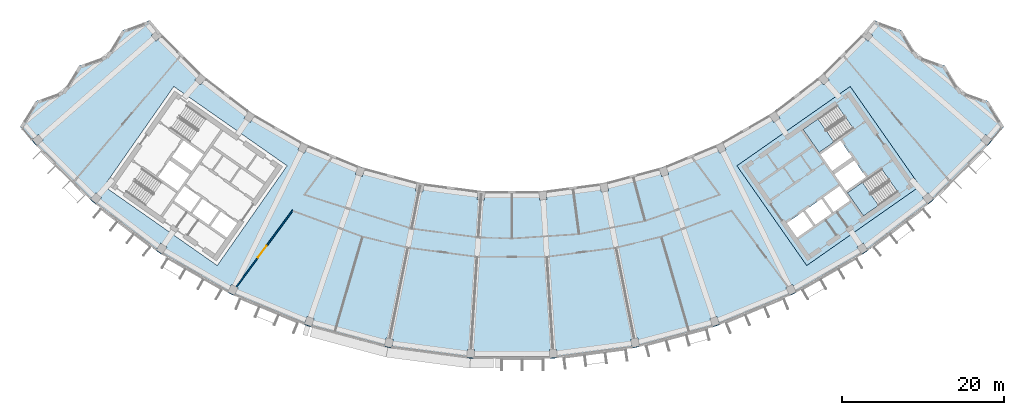
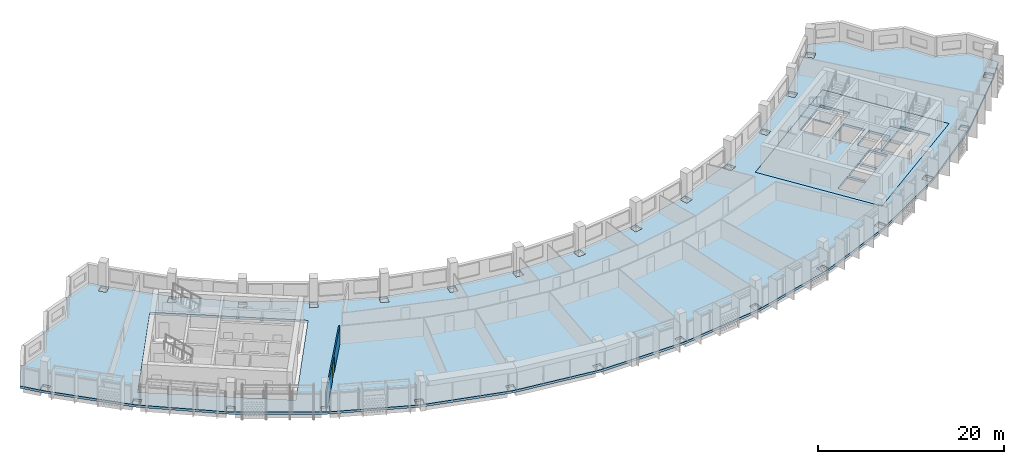
# One storey, part 2 of 27: 4 slabs, 1 door, 1 wall, 1 opening, 2 elements without a shape of their own.
"""IFC4 building model written with IfcOpenShell, lengths in metres."""

from ifc_helpers import new_model, si_unit, direction, frame, frame_2d, origin, place, context, subcontext, project, spatial, polyline, rectangle, outline, extrude, material, layer, layer_set, type_object, element, fill, aggregate, save


model = new_model("IFC4")

# Units and contexts
model_context = context("Model", 3, precision=1e-05, world=origin(), true_north=direction((0.0, 1.0)))
body_context = subcontext(model_context, "Body", "Model", "MODEL_VIEW")
ifc_project = project(units=[si_unit("LENGTHUNIT", "METRE"), si_unit("AREAUNIT", "SQUARE_METRE"), si_unit("VOLUMEUNIT", "CUBIC_METRE"), si_unit("PLANEANGLEUNIT", "RADIAN"), si_unit("MASSUNIT", "GRAM", prefix="KILO")], contexts=[model_context])

# Site, building, storey
site_placement = place(None, origin())
site = spatial("IfcSite", under=ifc_project, at=site_placement, CompositionType="ELEMENT")
building_placement = place(site_placement, origin())
building = spatial("IfcBuilding", under=site, at=building_placement, Name="Qamariyya Broadcast Tower", CompositionType="ELEMENT")
storey_placement = place(building_placement, frame((0.0, 0.0, 280.89990234375)))
storey = spatial("IfcBuildingStorey", under=building, at=storey_placement, Name="L68", CompositionType="ELEMENT", Elevation=280.89990234375)

# Slabs
ifc_material_1 = material(Name="Concrete C40/50", Category="concrete")
ifc_layer_1 = layer(ifc_material_1, 0.300048828125)
ifc_layer_set_1 = layer_set([ifc_layer_1], Name="Core floor slab 300 mm Concrete C40/50")
slab_type_1 = type_object("IfcSlabType", Name="Core floor slab 300 mm Concrete C40/50", PredefinedType="FLOOR", material=ifc_layer_set_1)
slab_1_placement = place(storey_placement, frame((0.0, 0.0, -0.2998046875)))
element("IfcSlab", 1, at=slab_1_placement, inside=storey, type_object=slab_type_1, Name="k-E-L68-slab", PredefinedType="FLOOR", context=body_context, shape_type="SweptSolid", body=[
    extrude(outline(polyline([(36.32373046875, -66.734375), (50.286376953125, -56.95751953125), (41.6826171875, -44.67041015625), (27.719970703125, -54.447021484375), (36.32373046875, -66.734375)]), holes=[polyline([(33.87353515625, -61.49169921875), (35.88037109375, -60.08642578125), (37.142333984375, -61.888427734375), (35.13525390625, -63.293701171875), (33.87353515625, -61.49169921875)]), polyline([(36.126220703125, -59.914306640625), (38.133056640625, -58.509033203125), (39.394775390625, -60.311279296875), (37.387939453125, -61.716552734375), (36.126220703125, -59.914306640625)]), polyline([(38.378662109375, -58.3369140625), (40.3857421875, -56.931640625), (41.6474609375, -58.73388671875), (39.640625, -60.13916015625), (38.378662109375, -58.3369140625)]), polyline([(39.742431640625, -55.489990234375), (42.199951171875, -53.769287109375), (43.6337890625, -55.817138671875), (41.17626953125, -57.537841796875), (39.742431640625, -55.489990234375)]), polyline([(39.45556640625, -55.080322265625), (41.9130859375, -53.359619140625), (40.47900390625, -51.311767578125), (38.021728515625, -53.032470703125), (39.45556640625, -55.080322265625)]), polyline([(40.082275390625, -47.01171875), (35.870849609375, -49.960693359375), (37.849609375, -52.78662109375), (42.06103515625, -49.837890625), (40.082275390625, -47.01171875)]), polyline([(45.559814453125, -54.834716796875), (41.348388671875, -57.783447265625), (43.3271484375, -60.609619140625), (47.538818359375, -57.66064453125), (45.559814453125, -54.834716796875)])]), origin(), (0.0, 0.0, 1.0), 0.2998046875),
])
ifc_layer_2 = layer(ifc_material_1, 0.300048828125)
ifc_layer_set_2 = layer_set([ifc_layer_2], Name="Post-tensioned floor slab 300 C40/50")
slab_type_2 = type_object("IfcSlabType", Name="Post-tensioned floor slab 300 C40/50", PredefinedType="FLOOR", material=ifc_layer_set_2)
slab_2_placement = place(storey_placement, frame((0.0, 0.0, -0.2998046875)))
element("IfcSlab", 2, at=slab_2_placement, inside=storey, type_object=slab_type_2, Name="Floor slab S4 L68", PredefinedType="FLOOR", context=body_context, shape_type="SweptSolid", body=[
    extrude(outline(polyline([(-58.719970703125, -46.4970703125), (-60.6376953125, -49.61669921875), (-58.90673828125, -51.65966796875), (-51.65966796875, -58.90673828125), (-43.52880859375, -65.145751953125), (-34.6533203125, -70.27001953125), (-25.184814453125, -74.19189453125), (-15.285400390625, -76.844482421875), (-5.124267578125, -78.18212890625), (5.124267578125, -78.18212890625), (15.285400390625, -76.844482421875), (25.184814453125, -74.19189453125), (34.6533203125, -70.27001953125), (43.52880859375, -65.145751953125), (51.65966796875, -58.90673828125), (58.90673828125, -51.65966796875), (60.6376953125, -49.61669921875), (58.719970703125, -46.4970703125), (55.29736328125, -45.2470703125), (53.379150390625, -42.126953125), (49.957275390625, -40.87744140625), (48.0380859375, -37.756591796875), (44.6171875, -36.5078125), (43.343505859375, -38.01123046875), (38.01123046875, -43.343505859375), (32.028564453125, -47.934326171875), (25.498046875, -51.704833984375), (18.531005859375, -54.590576171875), (11.2470703125, -56.542236328125), (3.7705078125, -57.526611328125), (-3.7705078125, -57.526611328125), (-11.2470703125, -56.542236328125), (-18.531005859375, -54.590576171875), (-25.498046875, -51.704833984375), (-32.028564453125, -47.934326171875), (-38.01123046875, -43.343505859375), (-43.343505859375, -38.01123046875), (-44.6171875, -36.5078125), (-48.0380859375, -37.756591796875), (-49.957275390625, -40.87744140625), (-53.379150390625, -42.126953125), (-55.29736328125, -45.2470703125), (-58.719970703125, -46.4970703125)]), holes=[polyline([(-4.668701171875, -78.11181640625), (-5.56689453125, -78.052978515625), (-5.50146484375, -77.05517578125), (-4.603271484375, -77.114013671875), (-4.668701171875, -78.11181640625)]), polyline([(-15.707275390625, -76.65869140625), (-15.511962890625, -75.677978515625), (-14.62939453125, -75.853515625), (-14.824462890625, -76.834228515625), (-15.707275390625, -76.65869140625)]), polyline([(-25.578857421875, -73.95263671875), (-25.25732421875, -73.005615234375), (-24.405029296875, -73.294921875), (-24.7265625, -74.241943359375), (-25.578857421875, -73.95263671875)]), polyline([(-35.0126953125, -69.981201171875), (-34.5703125, -69.08447265625), (-33.76318359375, -69.482421875), (-34.20556640625, -70.37939453125), (-35.0126953125, -69.981201171875)]), polyline([(-43.847412109375, -64.8125), (-43.2919921875, -63.98095703125), (-42.543701171875, -64.48095703125), (-43.09912109375, -65.3125), (-43.847412109375, -64.8125)]), polyline([(-51.93212890625, -58.53466796875), (-51.272705078125, -57.782958984375), (-50.59619140625, -58.376220703125), (-51.25537109375, -59.128173828125), (-51.93212890625, -58.53466796875)]), polyline([(-4.29150390625, -58.5947265625), (-4.22607421875, -57.596923828125), (-3.327880859375, -57.65576171875), (-3.393310546875, -58.653564453125), (-4.29150390625, -58.5947265625)]), polyline([(-11.90283203125, -57.533447265625), (-11.707763671875, -56.552490234375), (-10.8251953125, -56.72802734375), (-11.020263671875, -57.708984375), (-11.90283203125, -57.533447265625)]), polyline([(-50.286376953125, -56.95751953125), (-41.6826171875, -44.67041015625), (-27.719970703125, -54.447021484375), (-36.32373046875, -66.734375), (-50.286376953125, -56.95751953125)]), polyline([(-19.310791015625, -55.487548828125), (-18.9892578125, -54.54052734375), (-18.136962890625, -54.829833984375), (-18.45849609375, -55.77685546875), (-19.310791015625, -55.487548828125)]), polyline([(-26.387939453125, -52.4921875), (-25.94580078125, -51.595458984375), (-25.138671875, -51.993408203125), (-25.580810546875, -52.890380859375), (-26.387939453125, -52.4921875)]), polyline([(-59.128173828125, -51.25537109375), (-58.376220703125, -50.59619140625), (-57.782958984375, -51.272705078125), (-58.53466796875, -51.93212890625), (-59.128173828125, -51.25537109375)]), polyline([(-33.013916015625, -48.598876953125), (-32.458251953125, -47.767333984375), (-31.7099609375, -48.267333984375), (-32.265625, -49.098876953125), (-33.013916015625, -48.598876953125)]), polyline([(-39.074951171875, -43.873779296875), (-38.41552734375, -43.1220703125), (-37.739013671875, -43.71533203125), (-38.398193359375, -44.46728515625), (-39.074951171875, -43.873779296875)]), polyline([(-44.46728515625, -38.398193359375), (-43.71533203125, -37.739013671875), (-43.1220703125, -38.41552734375), (-43.873779296875, -39.074951171875), (-44.46728515625, -38.398193359375)]), polyline([(5.56689453125, -78.052978515625), (4.668701171875, -78.11181640625), (4.603271484375, -77.114013671875), (5.50146484375, -77.05517578125), (5.56689453125, -78.052978515625)]), polyline([(14.824462890625, -76.834228515625), (14.62939453125, -75.853515625), (15.511962890625, -75.677978515625), (15.707275390625, -76.65869140625), (14.824462890625, -76.834228515625)]), polyline([(24.7265625, -74.241943359375), (24.405029296875, -73.294921875), (25.25732421875, -73.005615234375), (25.578857421875, -73.95263671875), (24.7265625, -74.241943359375)]), polyline([(34.20556640625, -70.37939453125), (33.76318359375, -69.482421875), (34.5703125, -69.08447265625), (35.0126953125, -69.981201171875), (34.20556640625, -70.37939453125)]), polyline([(43.09912109375, -65.3125), (42.543701171875, -64.48095703125), (43.2919921875, -63.98095703125), (43.847412109375, -64.8125), (43.09912109375, -65.3125)]), polyline([(51.25537109375, -59.128173828125), (50.59619140625, -58.376220703125), (51.272705078125, -57.782958984375), (51.93212890625, -58.53466796875), (51.25537109375, -59.128173828125)]), polyline([(3.393310546875, -58.653564453125), (3.327880859375, -57.65576171875), (4.22607421875, -57.596923828125), (4.29150390625, -58.5947265625), (3.393310546875, -58.653564453125)]), polyline([(11.020263671875, -57.708984375), (10.8251953125, -56.72802734375), (11.707763671875, -56.552490234375), (11.90283203125, -57.533447265625), (11.020263671875, -57.708984375)]), polyline([(36.32373046875, -66.734375), (27.719970703125, -54.447021484375), (41.6826171875, -44.67041015625), (50.286376953125, -56.95751953125), (36.32373046875, -66.734375)]), polyline([(18.45849609375, -55.77685546875), (18.136962890625, -54.829833984375), (18.9892578125, -54.54052734375), (19.310791015625, -55.487548828125), (18.45849609375, -55.77685546875)]), polyline([(25.580810546875, -52.890380859375), (25.138671875, -51.993408203125), (25.94580078125, -51.595458984375), (26.387939453125, -52.4921875), (25.580810546875, -52.890380859375)]), polyline([(58.53466796875, -51.93212890625), (57.782958984375, -51.272705078125), (58.376220703125, -50.59619140625), (59.128173828125, -51.25537109375), (58.53466796875, -51.93212890625)]), polyline([(32.265625, -49.098876953125), (31.7099609375, -48.267333984375), (32.458251953125, -47.767333984375), (33.013916015625, -48.598876953125), (32.265625, -49.098876953125)]), polyline([(38.398193359375, -44.46728515625), (37.739013671875, -43.71533203125), (38.41552734375, -43.1220703125), (39.074951171875, -43.873779296875), (38.398193359375, -44.46728515625)]), polyline([(43.873779296875, -39.074951171875), (43.1220703125, -38.41552734375), (43.71533203125, -37.739013671875), (44.46728515625, -38.398193359375), (43.873779296875, -39.074951171875)])]), origin(), (0.0, 0.0, 1.0), 0.2998046875),
])

# Stair, slab
ifc_material_2 = material(Name="Concrete C50/60", Category="concrete")
stair_type = type_object("IfcStairType", Name="Exit stair 22 risers of 173 mm", PredefinedType="HALF_TURN_STAIR", material=ifc_material_2)
stair_1_placement = place(storey_placement, origin())
stair_1 = element("IfcStair", 3, at=stair_1_placement, inside=storey, type_object=stair_type, Name="L68 Stair E2", PredefinedType="HALF_TURN_STAIR")
ifc_layer_3 = layer(ifc_material_2, 0.199951171875)
ifc_layer_set_3 = layer_set([ifc_layer_3], Name="Stair landing")
slab_type_3 = type_object("IfcSlabType", Name="Stair landing", PredefinedType="LANDING", material=ifc_layer_set_3)
slab_3_placement = place(storey_placement, frame((0.0, 0.0, 1.7001953125)))
slab_3 = element("IfcSlab", 4, at=slab_3_placement, type_object=slab_type_3, Name="ST-E2 landing 1", PredefinedType="LANDING", context=body_context, shape_type="SweptSolid", body=[
    extrude(outline(polyline([(37.71337890625, -48.67041015625), (35.870849609375, -49.960693359375), (37.849609375, -52.78662109375), (39.692138671875, -51.49658203125), (37.71337890625, -48.67041015625)])), origin(), (0.0, 0.0, 1.0), 0.199951171875),
])
aggregate(stair_1, [slab_3])

stair_2_placement = place(storey_placement, origin())
stair_2 = element("IfcStair", 5, at=stair_2_placement, inside=storey, type_object=stair_type, Name="L68 Stair E1", PredefinedType="HALF_TURN_STAIR")
slab_4_placement = place(storey_placement, frame((0.0, 0.0, 1.7001953125)))
slab_4 = element("IfcSlab", 6, at=slab_4_placement, type_object=slab_type_3, Name="ST-E1 landing 1", PredefinedType="LANDING", context=body_context, shape_type="SweptSolid", body=[
    extrude(outline(polyline([(43.19091796875, -56.493408203125), (41.348388671875, -57.783447265625), (43.3271484375, -60.609619140625), (45.169677734375, -59.319580078125), (43.19091796875, -56.493408203125)])), origin(), (0.0, 0.0, 1.0), 0.199951171875),
])
aggregate(stair_2, [slab_4])

# Wall, opening, door
ifc_material_3 = material(Name="Gypsum board partition")
ifc_layer_4 = layer(ifc_material_3, 0.14990234375)
ifc_layer_set_4 = layer_set([ifc_layer_4], Name="Corridor partition 150 EI 60")
wall_type = type_object("IfcWallType", Name="Corridor partition 150 EI 60", PredefinedType="PARTITIONING", material=ifc_layer_set_4)
wall_placement = place(storey_placement, frame((-27.012939453125, -59.919189453125, 0.0), z_axis=(0.0, 0.0, 1.0), x_axis=(-0.593869528805, -0.804561360467, 0.0)))
wall = element("IfcWall", 7, at=wall_placement, inside=storey, type_object=wall_type, Name="Partition L68-002", PredefinedType="PARTITIONING", context=body_context, shape_type="SweptSolid", body=[
    extrude(rectangle(XDim=12.665283203125, YDim=0.14990234375, at=frame_2d((6.33251953125, 0.0))), origin(), (0.0, 0.0, 1.0), 2.400146484375),
])
opening_placement = place(wall_placement, frame((5.4326171875, 0.0, 0.0)))
opening = element("IfcOpeningElement", 8, at=opening_placement, cuts=wall, Name="Opening L68-D01", PredefinedType="OPENING", context=body_context, shape_type="SweptSolid", body=[
    extrude(rectangle(XDim=1.800048828125, YDim=2.10009765625, at=frame_2d((0.89990234375, 1.050048828125))), frame((0.0, 0.0849609375, 0.0), z_axis=(0.0, -1.0, 0.0), x_axis=(1.0, 0.0, 0.0)), (0.0, 0.0, 1.0), 0.169921875),
])
ifc_material_4 = material(Name="Timber fire door leaf", Category="wood")
door_type = type_object("IfcDoorType", Name="Double fire door 1800 x 2100 FD60", OperationType="NOTDEFINED", PredefinedType="DOOR", material=ifc_material_4)
door_placement = place(opening_placement, origin())
door = element("IfcDoor", 9, at=door_placement, inside=storey, type_object=door_type, Name="Door L68-D01", OperationType="DOUBLE_DOOR_SINGLE_SWING", OverallHeight=2.10009765625, OverallWidth=1.800048828125, PredefinedType="DOOR", context=body_context, shape_type="SweptSolid", body=[
    extrude(rectangle(XDim=1.800048828125, YDim=2.10009765625, at=frame_2d((0.89990234375, 1.050048828125))), frame((0.0, 0.02490234375, 0.0), z_axis=(0.0, -1.0, 0.0), x_axis=(1.0, 0.0, 0.0)), (0.0, 0.0, 1.0), 0.050048828125),
])
fill(opening, door)

save(model, "model.ifc")
